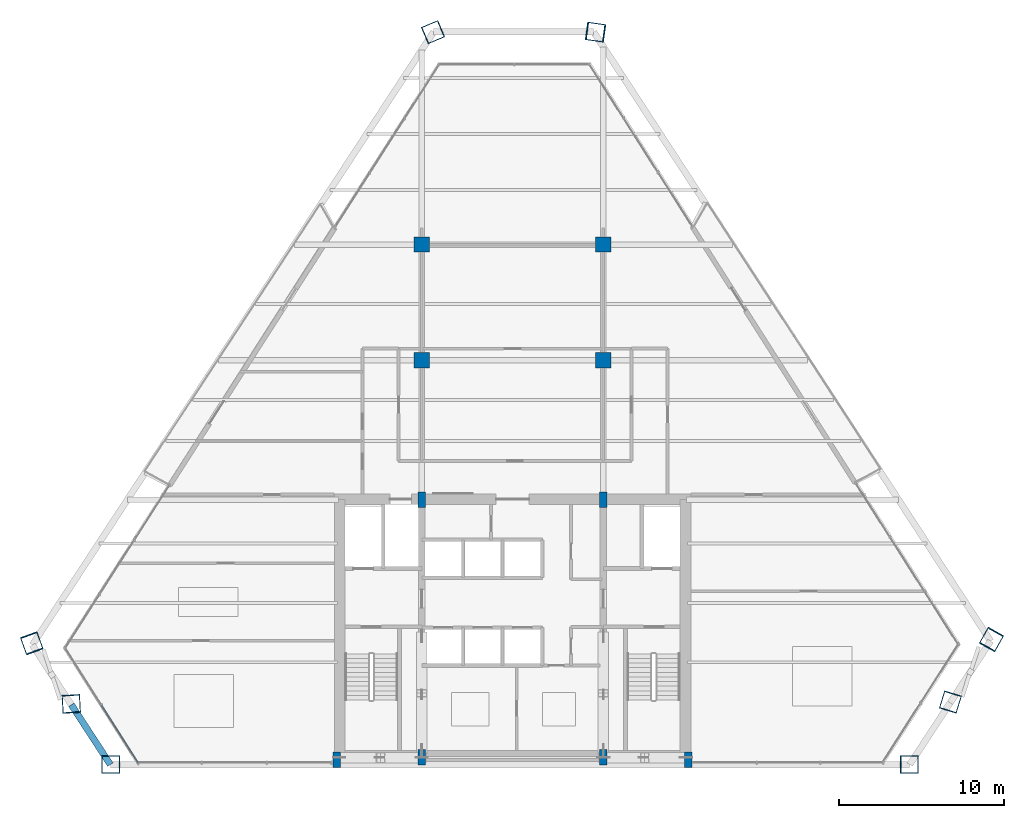
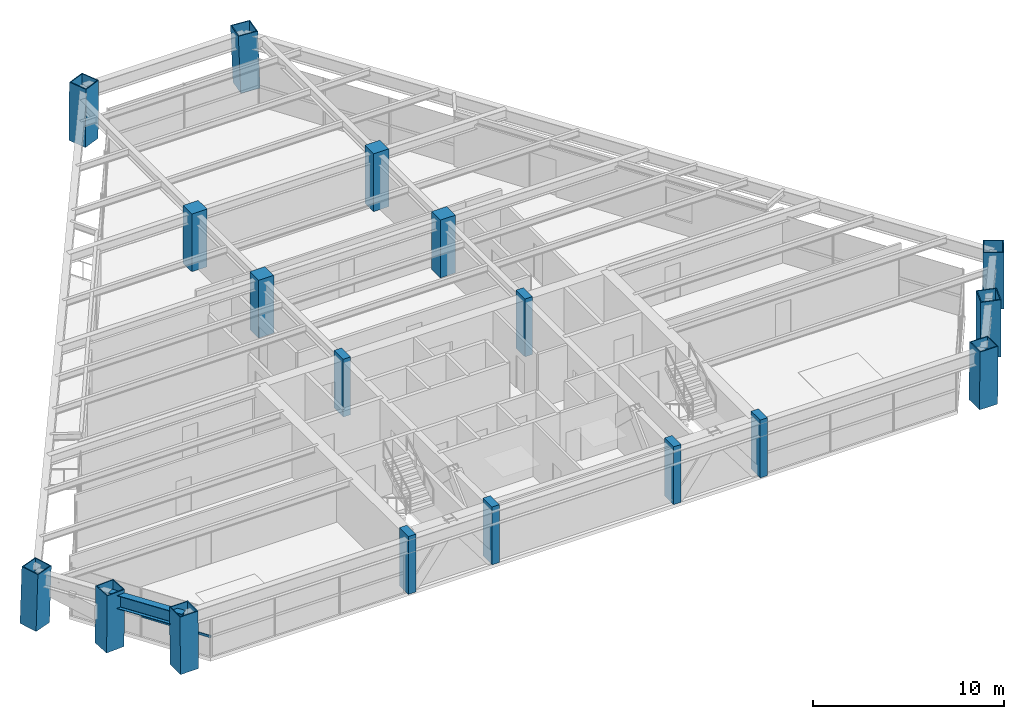
# One storey, part 1 of 15: 18 columns, 1 beam, 1 member, 1 element without a shape of its own.
"""IFC4 building model written with IfcOpenShell, lengths in metres."""

from ifc_helpers import new_model, si_unit, direction, frame, origin, origin_2d, place, context, subcontext, project, spatial, rectangle, hollow_rectangle, i_section, extrude, source, transform, mapped, material, material_profile, profile_set, type_object, element, aggregate, save


model = new_model("IFC4")

# Units and contexts
model_context = context("Model", 3, precision=1e-05, world=origin(), true_north=direction((0.0, 1.0)))
body_context = subcontext(model_context, "Body", "Model", "MODEL_VIEW")
ifc_project = project(units=[si_unit("LENGTHUNIT", "METRE"), si_unit("AREAUNIT", "SQUARE_METRE"), si_unit("VOLUMEUNIT", "CUBIC_METRE"), si_unit("PLANEANGLEUNIT", "RADIAN"), si_unit("MASSUNIT", "GRAM", prefix="KILO")], contexts=[model_context])

# Site, building, storey
site_placement = place(None, origin())
site = spatial("IfcSite", under=ifc_project, at=site_placement, CompositionType="ELEMENT")
building_placement = place(site_placement, origin())
building = spatial("IfcBuilding", under=site, at=building_placement, Name="Varnakhor Terracotta Tower", CompositionType="ELEMENT")
storey_placement = place(building_placement, frame((0.0, 0.0, 155.199951171875)))
storey = spatial("IfcBuildingStorey", under=building, at=storey_placement, Name="L39", CompositionType="ELEMENT", Elevation=155.199951171875)

# Columns
ifc_material_1 = material(Name="Concrete C50/60", Category="concrete")
ifc_material_profile_1 = material_profile(ifc_material_1, rectangle(XDim=0.449951171875, YDim=0.949951171875, at=origin_2d()), Name="RC PILASTER 950x450")
ifc_profile_set_1 = profile_set([ifc_material_profile_1], Name="Concrete C50/60")
column_type_1 = type_object("IfcColumnType", Name="COL-PIL-950x450", PredefinedType="PILASTER", material=ifc_profile_set_1)
shared_shape_1 = source(origin(), body_context, "Body", "SweptSolid", [
    extrude(rectangle(XDim=0.449951171875, YDim=0.949951171875, at=origin_2d()), origin(), (0.0, 0.0, 1.0), 3.699951171875),
])
for number, where, z_axis, x_axis, name in (
    (1, (-10.64990234375, 0.300048828125, 0.0), (0.0, 0.0, 1.0), (1.0, 0.0, 0.0), "L39 Core Pilaster CP1"),
    (2, (-5.5, 0.449951171875, 0.0), (0.0, 0.0, 1.0), (1.0, 0.0, 0.0), "L39 Core Pilaster CP2"),
    (3, (5.5, 0.449951171875, 0.0), (0.0, 0.0, 1.0), (1.0, 0.0, 0.0), "L39 Core Pilaster CP3"),
    (4, (10.64990234375, 0.300048828125, 0.0), (0.0, 0.0, 1.0), (1.0, 0.0, 0.0), "L39 Core Pilaster CP4"),
    (5, (-5.5, 16.050048828125, 0.0), (0.0, 0.0, 1.0), (1.0, 0.0, 0.0), "L39 Core Pilaster CP5"),
    (6, (5.5, 16.050048828125, 0.0), (0.0, 0.0, 1.0), (1.0, 0.0, 0.0), "L39 Core Pilaster CP6"),
):
    element("IfcColumn", number, at=place(storey_placement, frame(where, z_axis=z_axis, x_axis=x_axis)), inside=storey, type_object=column_type_1, Name=name, PredefinedType="PILASTER", context=body_context, shape_type="MappedRepresentation", body=[
        mapped(shared_shape_1, transform((0.0, 0.0, 0.0), scale=1.0)),
    ])
ifc_material_2 = material(Name="Steel S460", Category="steel")
ifc_material_profile_2 = material_profile(ifc_material_2, hollow_rectangle(XDim=1.10009765625, YDim=1.10009765625, WallThickness=0.054931640625, at=origin_2d()), Name="BOX 1100x1100x55")
ifc_profile_set_2 = profile_set([ifc_material_profile_2], Name="Steel S460")
column_type_2 = type_object("IfcColumnType", Name="COL-MEGA-1100", PredefinedType="COLUMN", material=ifc_profile_set_2)
shared_shape_2 = source(origin(), body_context, "Body", "SweptSolid", [
    extrude(hollow_rectangle(XDim=1.10009765625, YDim=1.10009765625, WallThickness=0.054931640625, at=origin_2d()), origin(), (0.0, 0.0, 1.0), 3.69140625),
])
for number, where, z_axis, x_axis, name in (
    (7, (-24.333984375, 0.0, 0.00439453125), (-0.009590140351, 0.0, 0.999954013547), (0.0, -1.0, 0.0), "L39 Perimeter Mega-Column M1"),
    (8, (-4.82568359375, 44.37158203125, 0.00439453125), (0.012631925875, 0.005290859005, 0.999906216232), (-0.386329199898, 0.922360964756, 0.0), "L39 Perimeter Mega-Column M6"),
):
    element("IfcColumn", number, at=place(storey_placement, frame(where, z_axis=z_axis, x_axis=x_axis)), inside=storey, type_object=column_type_2, Name=name, PredefinedType="COLUMN", context=body_context, shape_type="MappedRepresentation", body=[
        mapped(shared_shape_2, transform((0.0, 0.0, 0.0), scale=1.0)),
    ])
shared_shape_3 = source(origin(), body_context, "Body", "SweptSolid", [
    extrude(hollow_rectangle(XDim=1.10009765625, YDim=1.10009765625, WallThickness=0.054931640625, at=origin_2d()), origin(), (0.0, 0.0, 1.0), 3.691650390625),
])
for number, where, z_axis, x_axis, name in (
    (9, (26.53076171875, 3.7978515625, 0.00439453125), (-0.004629359862, -0.015078486406, 0.999875596399), (0.955960137676, -0.293496533497, 0.0), "L39 Perimeter Mega-Column M3"),
    (10, (-26.735595703125, 3.683837890625, 0.00439453125), (0.000925869152, -0.015938176115, 0.999872550533), (0.998316959719, 0.057993516332, 0.0), "L39 Perimeter Mega-Column M8"),
):
    element("IfcColumn", number, at=place(storey_placement, frame(where, z_axis=z_axis, x_axis=x_axis)), inside=storey, type_object=column_type_2, Name=name, PredefinedType="COLUMN", context=body_context, shape_type="MappedRepresentation", body=[
        mapped(shared_shape_3, transform((0.0, 0.0, 0.0), scale=1.0)),
    ])
shared_shape_4 = source(origin(), body_context, "Body", "SweptSolid", [
    extrude(hollow_rectangle(XDim=1.10009765625, YDim=1.10009765625, WallThickness=0.054931640625, at=origin_2d()), origin(), (0.0, 0.0, 1.0), 3.693359375),
])
for number, where, z_axis, x_axis, name in (
    (11, (29.02587890625, 7.595703125, 0.00439453125), (-0.016922217176, -0.030142699344, 0.999402349528), (0.871983785385, -0.489534756708, 0.0), "L39 Perimeter Mega-Column M4"),
    (12, (-29.13720703125, 7.36767578125, 0.00439453125), (0.011568212196, -0.031796057522, 0.999427429678), (0.939736367656, 0.341899925862, 0.0), "L39 Perimeter Mega-Column M7"),
):
    element("IfcColumn", number, at=place(storey_placement, frame(where, z_axis=z_axis, x_axis=x_axis)), inside=storey, type_object=column_type_2, Name=name, PredefinedType="COLUMN", context=body_context, shape_type="MappedRepresentation", body=[
        mapped(shared_shape_4, transform((0.0, 0.0, 0.0), scale=1.0)),
    ])
ifc_material_profile_3 = material_profile(ifc_material_1, rectangle(XDim=0.919921875, YDim=0.919921875, at=origin_2d()), Name="RC 920x920")
ifc_profile_set_3 = profile_set([ifc_material_profile_3], Name="Concrete C50/60")
column_type_3 = type_object("IfcColumnType", Name="COL-RC-920", PredefinedType="COLUMN", material=ifc_profile_set_3)
shared_shape_5 = source(origin(), body_context, "Body", "SweptSolid", [
    extrude(rectangle(XDim=0.919921875, YDim=0.919921875, at=origin_2d()), origin(), (0.0, 0.0, 1.0), 3.699951171875),
])
for number, where, z_axis, x_axis, name in (
    (13, (-5.5, 24.5, 0.0), (0.0, 0.0, 1.0), (1.0, 0.0, 0.0), "L39 Interior Tower Column IC1"),
    (14, (5.5, 24.5, 0.0), (0.0, 0.0, 1.0), (1.0, 0.0, 0.0), "L39 Interior Tower Column IC2"),
    (15, (-5.5, 31.5, 0.0), (0.0, 0.0, 1.0), (1.0, 0.0, 0.0), "L39 Interior Tower Column IC3"),
    (16, (5.5, 31.5, 0.0), (0.0, 0.0, 1.0), (1.0, 0.0, 0.0), "L39 Interior Tower Column IC4"),
):
    element("IfcColumn", number, at=place(storey_placement, frame(where, z_axis=z_axis, x_axis=x_axis)), inside=storey, type_object=column_type_3, Name=name, PredefinedType="COLUMN", context=body_context, shape_type="MappedRepresentation", body=[
        mapped(shared_shape_5, transform((0.0, 0.0, 0.0), scale=1.0)),
    ])
shared_shape_6 = source(origin(), body_context, "Body", "SweptSolid", [
    extrude(hollow_rectangle(XDim=1.10009765625, YDim=1.10009765625, WallThickness=0.054931640625, at=origin_2d()), origin(), (0.0, 0.0, 1.0), 3.69384765625),
])
column_1_placement = place(storey_placement, frame((5.05029296875, 44.37158203125, 0.00439453125), z_axis=(-0.037805614296, 0.005287498503, 0.999271123313), x_axis=(-0.138511993883, -0.990360756265, 0.0)))
element("IfcColumn", 17, at=column_1_placement, inside=storey, type_object=column_type_2, Name="L39 Perimeter Mega-Column M5", PredefinedType="COLUMN", context=body_context, shape_type="MappedRepresentation", body=[
    mapped(shared_shape_6, transform((0.0, 0.0, 0.0), scale=1.0)),
])
shared_shape_7 = source(origin(), body_context, "Body", "SweptSolid", [
    extrude(hollow_rectangle(XDim=1.10009765625, YDim=1.10009765625, WallThickness=0.054931640625, at=origin_2d()), origin(), (0.0, 0.0, 1.0), 3.691162109375),
])
column_2_placement = place(storey_placement, frame((24.035400390625, 0.0, 0.00439453125), z_axis=(0.007672239294, 0.0, 0.999970567939), x_axis=(0.0, 1.0, 0.0)))
element("IfcColumn", 18, at=column_2_placement, inside=storey, type_object=column_type_2, Name="L39 Perimeter Mega-Column M2", PredefinedType="COLUMN", context=body_context, shape_type="MappedRepresentation", body=[
    mapped(shared_shape_7, transform((0.0, 0.0, 0.0), scale=1.0)),
])

# Beam
ifc_material_3 = material(Name="Steel S355", Category="steel")
ifc_material_profile_4 = material_profile(ifc_material_3, i_section(OverallWidth=0.39990234375, OverallDepth=0.85498046875, WebThickness=0.01806640625, FlangeThickness=0.029052734375, FilletRadius=0.01806640625, at=origin_2d()), Name="W33X201")
ifc_profile_set_4 = profile_set([ifc_material_profile_4], Name="Steel S355")
beam_type = type_object("IfcBeamType", Name="BM-W33X201", PredefinedType="BEAM", material=ifc_profile_set_4)
shared_shape_8 = source(origin(), body_context, "Body", "SweptSolid", [
    extrude(i_section(OverallWidth=0.39990234375, OverallDepth=0.85498046875, WebThickness=0.01806640625, FlangeThickness=0.029052734375, FilletRadius=0.01806640625, at=origin_2d()), origin(), (0.0, 0.0, 1.0), 4.3271484375),
])
beam_placement = place(storey_placement, frame((-26.732177734375, 3.625, 3.04248046875), z_axis=(0.546050904688, -0.837751997604, 0.0), x_axis=(0.837751997604, 0.546050904688, 0.0)))
element("IfcBeam", 19, at=beam_placement, inside=storey, type_object=beam_type, Name="L39 Perimeter Spandrel 8", PredefinedType="BEAM", context=body_context, shape_type="MappedRepresentation", body=[
    mapped(shared_shape_8, transform((0.0, 0.0, 0.0), scale=1.0)),
])

# Curtain wall, member
ifc_material_4 = material(Name="Anodised Aluminium Curtain Wall System", Category="aluminium")
curtain_wall_type = type_object("IfcCurtainWallType", Name="CW-SYS-MID-OFFICE", PredefinedType="NOTDEFINED", material=ifc_material_4)
curtain_wall_placement = place(storey_placement, origin())
curtain_wall = element("IfcCurtainWall", 20, at=curtain_wall_placement, inside=storey, type_object=curtain_wall_type, Name="L39 Facet Curtain Wall 6", PredefinedType="NOTDEFINED")
ifc_material_5 = material(Name="Anodised Aluminium 6063-T6", Category="aluminium")
ifc_material_profile_5 = material_profile(ifc_material_5, rectangle(XDim=0.070068359375, YDim=0.155029296875, at=origin_2d()), Name="ALU TRANSOM 70x155")
ifc_profile_set_5 = profile_set([ifc_material_profile_5], Name="Anodised Aluminium 6063-T6")
member_type = type_object("IfcMemberType", Name="CWT-03", PredefinedType="USERDEFINED", material=ifc_profile_set_5)
shared_shape_9 = source(origin(), body_context, "Body", "SweptSolid", [
    extrude(rectangle(XDim=0.070068359375, YDim=0.155029296875, at=origin_2d()), origin(), (0.0, 0.0, 1.0), 4.155029296875),
])
member_placement = place(storey_placement, frame((-22.673095703125, 0.089599609375, 1.281005859375), z_axis=(-0.536590305899, 0.843842902213, 0.0), x_axis=(-0.843842902213, -0.536590305899, 0.0)))
member = element("IfcMember", 21, at=member_placement, type_object=member_type, Name="L39 Facet Curtain Wall 6 Transom 1", ObjectType="TRANSOM", PredefinedType="USERDEFINED", context=body_context, shape_type="MappedRepresentation", body=[
    mapped(shared_shape_9, transform((0.0, 0.0, 0.0), scale=1.0)),
])
aggregate(curtain_wall, [member])

save(model, "model.ifc")
